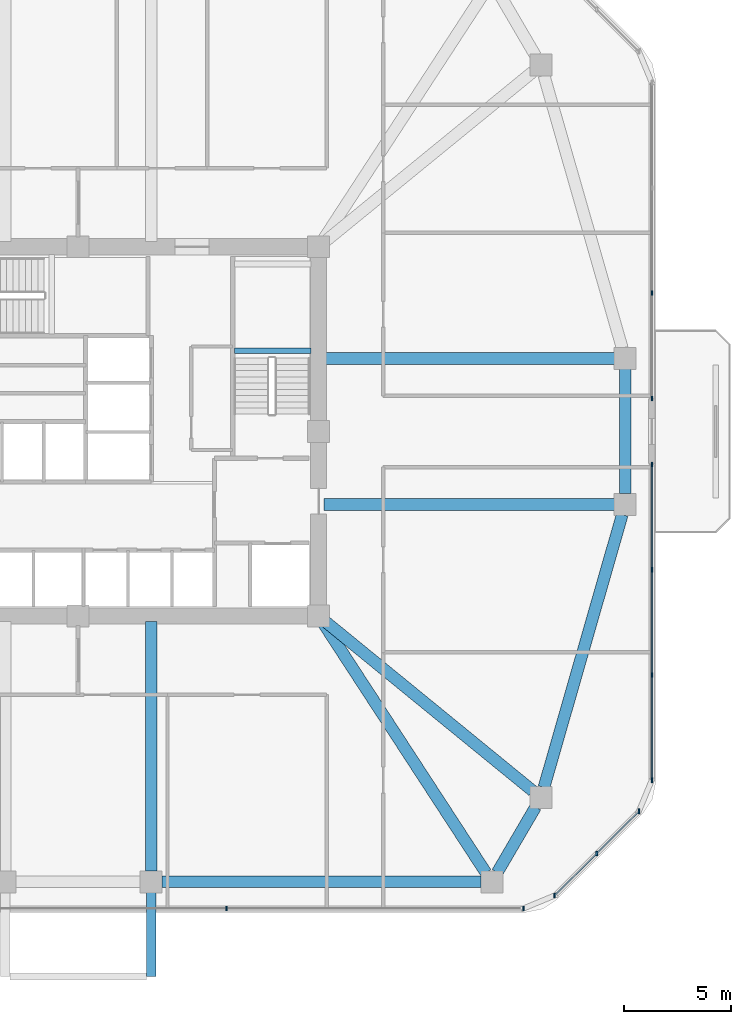
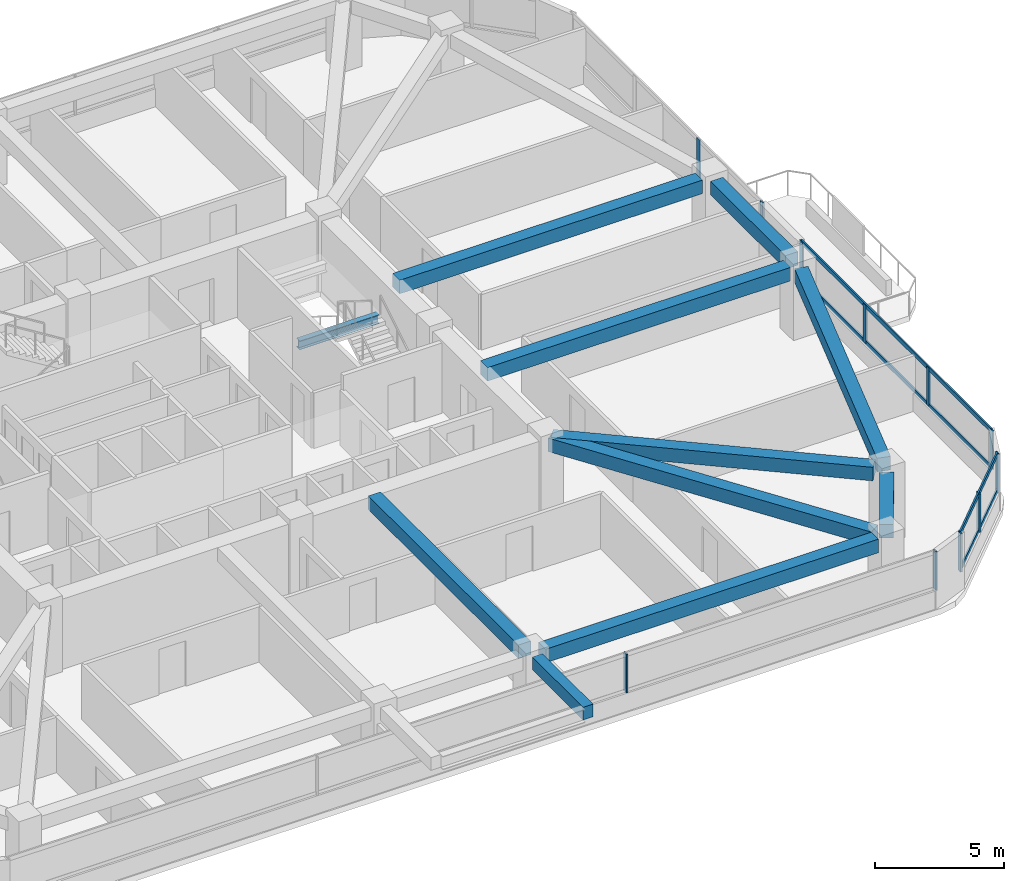
# One storey, part 5 of 14: 15 members, 11 beams, 4 elements without a shape of their own.
"""IFC4 building model written with IfcOpenShell, lengths in metres."""

from ifc_helpers import new_model, si_unit, derived_unit, direction, frame, origin, origin_2d, place, context, subcontext, project, spatial, rectangle, i_section, extrude, material, material_profile, profile_set, type_object, element, aggregate, save


model = new_model("IFC4")

# Units and contexts
model_context = context("Model", 3, precision=1e-05, world=origin(), true_north=direction((0.0, 1.0)))
body_context = subcontext(model_context, "Body", "Model", "MODEL_VIEW")
ifc_project = project(units=[si_unit("LENGTHUNIT", "METRE"), si_unit("AREAUNIT", "SQUARE_METRE"), si_unit("VOLUMEUNIT", "CUBIC_METRE"), si_unit("PLANEANGLEUNIT", "RADIAN"), si_unit("MASSUNIT", "GRAM", prefix="KILO"), derived_unit("THERMALTRANSMITTANCEUNIT", [(si_unit("POWERUNIT", "WATT"), 1), (si_unit("LENGTHUNIT", "METRE"), -2), (si_unit("THERMODYNAMICTEMPERATUREUNIT", "KELVIN"), -1)])], contexts=[model_context])

# Site, building, storey
site_placement = place(None, origin())
site = spatial("IfcSite", under=ifc_project, at=site_placement, CompositionType="ELEMENT")
building_placement = place(site_placement, origin())
building = spatial("IfcBuilding", under=site, at=building_placement, Name="Koralith Skygarden Medical Center", CompositionType="ELEMENT")
storey_placement = place(building_placement, frame((0.0, 0.0, 81.179931640625)))
storey = spatial("IfcBuildingStorey", under=building, at=storey_placement, Name="L20", CompositionType="ELEMENT", Elevation=81.179931640625)

# Curtain wall, members
ifc_material_1 = material(Name="Clear Laminated Glass", Category="glass")
curtain_wall_type = type_object("IfcCurtainWallType", Name="CW-3 Zone 2 Faceted Solar Curtain Wall", PredefinedType="NOTDEFINED", material=ifc_material_1)
curtain_wall_1_placement = place(storey_placement, origin())
curtain_wall_1 = element("IfcCurtainWall", 1, at=curtain_wall_1_placement, inside=storey, type_object=curtain_wall_type, Name="Curtain Wall CW-L20-S", PredefinedType="NOTDEFINED")
ifc_material_2 = material(Name="Aluminium 6063-T6", Category="aluminium")
ifc_material_profile_1 = material_profile(ifc_material_2, rectangle(XDim=0.073974609375, YDim=0.219970703125, at=origin_2d()), Name="MUL74X220")
ifc_profile_set_1 = profile_set([ifc_material_profile_1], Name="Aluminium 6063-T6")
member_type_1 = type_object("IfcMemberType", Name="CW-3 Extruded Mullion 74x220", PredefinedType="MULLION", material=ifc_profile_set_1)
member_1_placement = place(storey_placement, frame((43.9150390625, 3.679931640625, 0.85009765625), z_axis=(0.0, 0.0, 1.0), x_axis=(1.0, 0.0, 0.0)))
member_1 = element("IfcMember", 2, at=member_1_placement, type_object=member_type_1, Name="CW-L20-S Mullion 3", PredefinedType="MULLION", context=body_context, shape_type="SweptSolid", body=[
    extrude(rectangle(XDim=0.073974609375, YDim=0.219970703125, at=origin_2d()), origin(), (0.0, 0.0, 1.0), 1.820068359375),
])
member_2_placement = place(storey_placement, frame((57.7451171875, 3.679931640625, 0.85009765625), z_axis=(0.0, 0.0, 1.0), x_axis=(1.0, 0.0, 0.0)))
member_2 = element("IfcMember", 3, at=member_2_placement, type_object=member_type_1, Name="CW-L20-S Mullion 4", PredefinedType="MULLION", context=body_context, shape_type="SweptSolid", body=[
    extrude(rectangle(XDim=0.073974609375, YDim=0.219970703125, at=origin_2d()), origin(), (0.0, 0.0, 1.0), 1.820068359375),
])
aggregate(curtain_wall_1, [member_1, member_2])

curtain_wall_2_placement = place(storey_placement, origin())
curtain_wall_2 = element("IfcCurtainWall", 4, at=curtain_wall_2_placement, inside=storey, type_object=curtain_wall_type, Name="Curtain Wall CW-L20-SE", PredefinedType="NOTDEFINED")
member_3_placement = place(storey_placement, frame((59.196044921875, 4.281005859375, 0.85009765625), z_axis=(0.0, 0.0, 1.0), x_axis=(1.0, 0.0, 0.0)))
member_3 = element("IfcMember", 5, at=member_3_placement, type_object=member_type_1, Name="CW-L20-SE Mullion 1", PredefinedType="MULLION", context=body_context, shape_type="SweptSolid", body=[
    extrude(rectangle(XDim=0.073974609375, YDim=0.219970703125, at=origin_2d()), origin(), (0.0, 0.0, 1.0), 1.820068359375),
])
member_4_placement = place(storey_placement, frame((61.156982421875, 6.241943359375, 0.85009765625), z_axis=(0.0, 0.0, 1.0), x_axis=(1.0, 0.0, 0.0)))
member_4 = element("IfcMember", 6, at=member_4_placement, type_object=member_type_1, Name="CW-L20-SE Mullion 2", PredefinedType="MULLION", context=body_context, shape_type="SweptSolid", body=[
    extrude(rectangle(XDim=0.073974609375, YDim=0.219970703125, at=origin_2d()), origin(), (0.0, 0.0, 1.0), 1.820068359375),
])
member_5_placement = place(storey_placement, frame((63.118896484375, 8.2041015625, 0.85009765625), z_axis=(0.0, 0.0, 1.0), x_axis=(1.0, 0.0, 0.0)))
member_5 = element("IfcMember", 7, at=member_5_placement, type_object=member_type_1, Name="CW-L20-SE Mullion 3", PredefinedType="MULLION", context=body_context, shape_type="SweptSolid", body=[
    extrude(rectangle(XDim=0.073974609375, YDim=0.219970703125, at=origin_2d()), origin(), (0.0, 0.0, 1.0), 1.820068359375),
])

curtain_wall_3_placement = place(storey_placement, origin())
curtain_wall_3 = element("IfcCurtainWall", 8, at=curtain_wall_3_placement, inside=storey, type_object=curtain_wall_type, Name="Curtain Wall CW-L20-E-L", PredefinedType="NOTDEFINED")
member_6_placement = place(storey_placement, frame((63.719970703125, 9.655029296875, 0.85009765625), z_axis=(0.0, 0.0, 1.0), x_axis=(1.0, 0.0, 0.0)))
member_6 = element("IfcMember", 9, at=member_6_placement, type_object=member_type_1, Name="CW-L20-E-L Mullion 1", PredefinedType="MULLION", context=body_context, shape_type="SweptSolid", body=[
    extrude(rectangle(XDim=0.073974609375, YDim=0.219970703125, at=origin_2d()), origin(), (0.0, 0.0, 1.0), 1.820068359375),
])
member_7_placement = place(storey_placement, frame((63.719970703125, 14.555908203125, 0.85009765625), z_axis=(0.0, 0.0, 1.0), x_axis=(1.0, 0.0, 0.0)))
member_7 = element("IfcMember", 10, at=member_7_placement, type_object=member_type_1, Name="CW-L20-E-L Mullion 2", PredefinedType="MULLION", context=body_context, shape_type="SweptSolid", body=[
    extrude(rectangle(XDim=0.073974609375, YDim=0.219970703125, at=origin_2d()), origin(), (0.0, 0.0, 1.0), 1.820068359375),
])
member_8_placement = place(storey_placement, frame((63.719970703125, 19.4580078125, 0.85009765625), z_axis=(0.0, 0.0, 1.0), x_axis=(1.0, 0.0, 0.0)))
member_8 = element("IfcMember", 11, at=member_8_placement, type_object=member_type_1, Name="CW-L20-E-L Mullion 3", PredefinedType="MULLION", context=body_context, shape_type="SweptSolid", body=[
    extrude(rectangle(XDim=0.073974609375, YDim=0.219970703125, at=origin_2d()), origin(), (0.0, 0.0, 1.0), 1.820068359375),
])
member_9_placement = place(storey_placement, frame((63.719970703125, 24.35888671875, 0.85009765625), z_axis=(0.0, 0.0, 1.0), x_axis=(1.0, 0.0, 0.0)))
member_9 = element("IfcMember", 12, at=member_9_placement, type_object=member_type_1, Name="CW-L20-E-L Mullion 4", PredefinedType="MULLION", context=body_context, shape_type="SweptSolid", body=[
    extrude(rectangle(XDim=0.073974609375, YDim=0.219970703125, at=origin_2d()), origin(), (0.0, 0.0, 1.0), 1.820068359375),
])

curtain_wall_4_placement = place(storey_placement, origin())
curtain_wall_4 = element("IfcCurtainWall", 13, at=curtain_wall_4_placement, inside=storey, type_object=curtain_wall_type, Name="Curtain Wall CW-L20-E-R", PredefinedType="NOTDEFINED")
member_10_placement = place(storey_placement, frame((63.719970703125, 27.43896484375, 0.85009765625), z_axis=(0.0, 0.0, 1.0), x_axis=(1.0, 0.0, 0.0)))
member_10 = element("IfcMember", 14, at=member_10_placement, type_object=member_type_1, Name="CW-L20-E-R Mullion 1", PredefinedType="MULLION", context=body_context, shape_type="SweptSolid", body=[
    extrude(rectangle(XDim=0.073974609375, YDim=0.219970703125, at=origin_2d()), origin(), (0.0, 0.0, 1.0), 1.820068359375),
])
member_11_placement = place(storey_placement, frame((63.719970703125, 32.341064453125, 0.85009765625), z_axis=(0.0, 0.0, 1.0), x_axis=(1.0, 0.0, 0.0)))
member_11 = element("IfcMember", 15, at=member_11_placement, type_object=member_type_1, Name="CW-L20-E-R Mullion 2", PredefinedType="MULLION", context=body_context, shape_type="SweptSolid", body=[
    extrude(rectangle(XDim=0.073974609375, YDim=0.219970703125, at=origin_2d()), origin(), (0.0, 0.0, 1.0), 1.820068359375),
])
aggregate(curtain_wall_4, [member_10, member_11])

# Member
ifc_material_profile_2 = material_profile(ifc_material_2, rectangle(XDim=0.069091796875, YDim=0.197998046875, at=origin_2d()), Name="TRN69X198")
ifc_profile_set_2 = profile_set([ifc_material_profile_2], Name="Aluminium 6063-T6")
member_type_2 = type_object("IfcMemberType", Name="CW-3 Thermal Transom 69x198", PredefinedType="USERDEFINED", material=ifc_profile_set_2)
member_12_placement = place(storey_placement, frame((59.196044921875, 4.281005859375, 0.900146484375), z_axis=(0.707084777957, 0.707128783731, 0.0), x_axis=(-0.707128783731, 0.707084777957, 0.0)))
member_12 = element("IfcMember", 16, at=member_12_placement, type_object=member_type_2, Name="CW-L20-SE Transom 1", ObjectType="TRANSOM", PredefinedType="USERDEFINED", context=body_context, shape_type="SweptSolid", body=[
    extrude(rectangle(XDim=0.069091796875, YDim=0.197998046875, at=origin_2d()), origin(), (0.0, 0.0, 1.0), 5.5478515625),
])

member_13_placement = place(storey_placement, frame((59.196044921875, 4.281005859375, 2.6201171875), z_axis=(0.707084777957, 0.707128783731, 0.0), x_axis=(-0.707128783731, 0.707084777957, 0.0)))
member_13 = element("IfcMember", 17, at=member_13_placement, type_object=member_type_2, Name="CW-L20-SE Transom 2", ObjectType="TRANSOM", PredefinedType="USERDEFINED", context=body_context, shape_type="SweptSolid", body=[
    extrude(rectangle(XDim=0.069091796875, YDim=0.197998046875, at=origin_2d()), origin(), (0.0, 0.0, 1.0), 5.5478515625),
])

aggregate(curtain_wall_2, [member_3, member_4, member_5, member_12, member_13])

member_14_placement = place(storey_placement, frame((63.719970703125, 9.655029296875, 0.900146484375), z_axis=(0.0, 1.0, 0.0), x_axis=(-1.0, 0.0, 0.0)))
member_14 = element("IfcMember", 18, at=member_14_placement, type_object=member_type_2, Name="CW-L20-E-L Transom 1", ObjectType="TRANSOM", PredefinedType="USERDEFINED", context=body_context, shape_type="SweptSolid", body=[
    extrude(rectangle(XDim=0.069091796875, YDim=0.197998046875, at=origin_2d()), origin(), (0.0, 0.0, 1.0), 14.703857421875),
])

member_15_placement = place(storey_placement, frame((63.719970703125, 9.655029296875, 2.6201171875), z_axis=(0.0, 1.0, 0.0), x_axis=(-1.0, 0.0, 0.0)))
member_15 = element("IfcMember", 19, at=member_15_placement, type_object=member_type_2, Name="CW-L20-E-L Transom 2", ObjectType="TRANSOM", PredefinedType="USERDEFINED", context=body_context, shape_type="SweptSolid", body=[
    extrude(rectangle(XDim=0.069091796875, YDim=0.197998046875, at=origin_2d()), origin(), (0.0, 0.0, 1.0), 14.703857421875),
])

aggregate(curtain_wall_3, [member_6, member_7, member_8, member_9, member_14, member_15])

# Beams
ifc_material_3 = material(Name="Steel ASTM A992 Grade 50", Category="steel")
ifc_material_profile_3 = material_profile(ifc_material_3, i_section(OverallWidth=0.260009765625, OverallDepth=0.4150390625, WebThickness=0.010009765625, FlangeThickness=0.016845703125, at=origin_2d()), Name="W16X67")
ifc_profile_set_3 = profile_set([ifc_material_profile_3], Name="Steel ASTM A992 Grade 50")
beam_type_1 = type_object("IfcBeamType", Name="Clinical Floor Joist W16X67", PredefinedType="JOIST", material=ifc_profile_set_3)
beam_1_placement = place(storey_placement, frame((44.280029296875, 29.659912109375, 1.39306640625), z_axis=(1.0, 0.0, 0.0), x_axis=(0.0, 1.0, 0.0)))
element("IfcBeam", 20, at=beam_1_placement, inside=storey, type_object=beam_type_1, Name="L20 Stair ST2 Half-Landing Support Beam 1A", PredefinedType="JOIST", context=body_context, shape_type="SweptSolid", body=[
    extrude(i_section(OverallWidth=0.260009765625, OverallDepth=0.4150390625, WebThickness=0.010009765625, FlangeThickness=0.016845703125, at=origin_2d()), origin(), (0.0, 0.0, 1.0), 3.56494140625),
])
ifc_material_4 = material(Name="Concrete C45/55", Category="concrete")
ifc_material_profile_4 = material_profile(ifc_material_4, rectangle(XDim=0.449951171875, YDim=0.60009765625, at=origin_2d()), Name="RCB450X600")
ifc_profile_set_4 = profile_set([ifc_material_profile_4], Name="Concrete C45/55")
beam_type_2 = type_object("IfcBeamType", Name="Planted Balcony Cantilever Beam RCB450X600", PredefinedType="BEAM", material=ifc_profile_set_4)
beam_2_placement = place(storey_placement, frame((40.39990234375, 4.429931640625, 3.0400390625), z_axis=(0.0, -1.0, 0.0), x_axis=(1.0, 0.0, 0.0)))
element("IfcBeam", 21, at=beam_2_placement, inside=storey, type_object=beam_type_2, Name="L21 S Balcony Cantilever Beam B", PredefinedType="BEAM", context=body_context, shape_type="SweptSolid", body=[
    extrude(rectangle(XDim=0.449951171875, YDim=0.60009765625, at=origin_2d()), origin(), (0.0, 0.0, 1.0), 3.919921875),
])
ifc_material_profile_5 = material_profile(ifc_material_4, rectangle(XDim=0.550048828125, YDim=0.639892578125, at=origin_2d()), Name="RCB550X640")
ifc_profile_set_5 = profile_set([ifc_material_profile_5], Name="Concrete C45/55")
beam_type_3 = type_object("IfcBeamType", Name="Radial Collector Beam RCB550X640", PredefinedType="BEAM", material=ifc_profile_set_5)
beam_3_placement = place(storey_placement, frame((40.39990234375, 17.050048828125, 3.0), z_axis=(0.0, -1.0, 0.0), x_axis=(1.0, 0.0, 0.0)))
element("IfcBeam", 22, at=beam_3_placement, inside=storey, type_object=beam_type_3, Name="L20 Radial Collector Beam RB-05", PredefinedType="BEAM", context=body_context, shape_type="SweptSolid", body=[
    extrude(rectangle(XDim=0.550048828125, YDim=0.639892578125, at=origin_2d()), origin(), (0.0, 0.0, 1.0), 11.630126953125),
])
beam_4_placement = place(storey_placement, frame((48.3359375, 17.091064453125, 3.0), z_axis=(0.546010797592, -0.83777813824, 0.0), x_axis=(0.83777813824, 0.546010797592, 0.0)))
element("IfcBeam", 23, at=beam_4_placement, inside=storey, type_object=beam_type_3, Name="L20 Radial Collector Beam RB-06", PredefinedType="BEAM", context=body_context, shape_type="SweptSolid", body=[
    extrude(rectangle(XDim=0.550048828125, YDim=0.639892578125, at=origin_2d()), origin(), (0.0, 0.0, 1.0), 14.027587890625),
])
beam_5_placement = place(storey_placement, frame((48.39404296875, 17.14208984375, 3.0), z_axis=(0.774537653753, -0.632527804067, 0.0), x_axis=(0.632527804067, 0.774537653753, 0.0)))
element("IfcBeam", 24, at=beam_5_placement, inside=storey, type_object=beam_type_3, Name="L20 Radial Collector Beam RB-07", PredefinedType="BEAM", context=body_context, shape_type="SweptSolid", body=[
    extrude(rectangle(XDim=0.550048828125, YDim=0.639892578125, at=origin_2d()), origin(), (0.0, 0.0, 1.0), 12.625732421875),
])
for number, where, z_axis, x_axis, name in (
    (25, (48.449951171875, 22.5, 3.0), (1.0, 0.0, 0.0), (0.0, 1.0, 0.0), "L20 Radial Collector Beam RB-08"),
    (26, (48.449951171875, 29.300048828125, 3.0), (1.0, 0.0, 0.0), (0.0, 1.0, 0.0), "L20 Radial Collector Beam RB-09"),
):
    element("IfcBeam", number, at=place(storey_placement, frame(where, z_axis=z_axis, x_axis=x_axis)), inside=storey, type_object=beam_type_3, Name=name, PredefinedType="BEAM", context=body_context, shape_type="SweptSolid", body=[
        extrude(rectangle(XDim=0.550048828125, YDim=0.639892578125, at=origin_2d()), origin(), (0.0, 0.0, 1.0), 13.530029296875),
    ])
ifc_material_profile_6 = material_profile(ifc_material_4, rectangle(XDim=0.550048828125, YDim=0.639892578125, at=origin_2d()), Name="RCB550X640")
ifc_profile_set_6 = profile_set([ifc_material_profile_6], Name="Concrete C45/55")
beam_type_4 = type_object("IfcBeamType", Name="Zone 2-3 Spandrel Beam RCB550X640", PredefinedType="SPANDREL", material=ifc_profile_set_6)
beam_6_placement = place(storey_placement, frame((40.89990234375, 4.919921875, 3.0), z_axis=(1.0, 0.0, 0.0), x_axis=(0.0, 1.0, 0.0)))
element("IfcBeam", 27, at=beam_6_placement, inside=storey, type_object=beam_type_4, Name="L20 Perimeter Spandrel Beam SP-05", PredefinedType="SPANDREL", context=body_context, shape_type="SweptSolid", body=[
    extrude(rectangle(XDim=0.550048828125, YDim=0.639892578125, at=origin_2d()), origin(), (0.0, 0.0, 1.0), 14.8681640625),
])
beam_7_placement = place(storey_placement, frame((56.52001953125, 5.35205078125, 3.0), z_axis=(0.50502386975, 0.863105376523, 0.0), x_axis=(-0.863105376523, 0.50502386975, 0.0)))
element("IfcBeam", 28, at=beam_7_placement, inside=storey, type_object=beam_type_4, Name="L20 Perimeter Spandrel Beam SP-06", PredefinedType="SPANDREL", context=body_context, shape_type="SweptSolid", body=[
    extrude(rectangle(XDim=0.550048828125, YDim=0.639892578125, at=origin_2d()), origin(), (0.0, 0.0, 1.0), 3.54052734375),
])
beam_8_placement = place(storey_placement, frame((58.697998046875, 9.321044921875, 3.0), z_axis=(0.275843733572, 0.961202494092, 0.0), x_axis=(-0.961202494092, 0.275843733572, 0.0)))
element("IfcBeam", 29, at=beam_8_placement, inside=storey, type_object=beam_type_4, Name="L20 Perimeter Spandrel Beam SP-07", PredefinedType="SPANDREL", context=body_context, shape_type="SweptSolid", body=[
    extrude(rectangle(XDim=0.550048828125, YDim=0.639892578125, at=origin_2d()), origin(), (0.0, 0.0, 1.0), 13.21044921875),
])
beam_9_placement = place(storey_placement, frame((62.47998046875, 23.0, 3.0), z_axis=(0.0, 1.0, 0.0), x_axis=(-1.0, 0.0, 0.0)))
element("IfcBeam", 30, at=beam_9_placement, inside=storey, type_object=beam_type_4, Name="L20 Perimeter Spandrel Beam SP-08", PredefinedType="SPANDREL", context=body_context, shape_type="SweptSolid", body=[
    extrude(rectangle(XDim=0.550048828125, YDim=0.639892578125, at=origin_2d()), origin(), (0.0, 0.0, 1.0), 5.800048828125),
])

save(model, "model.ifc")
